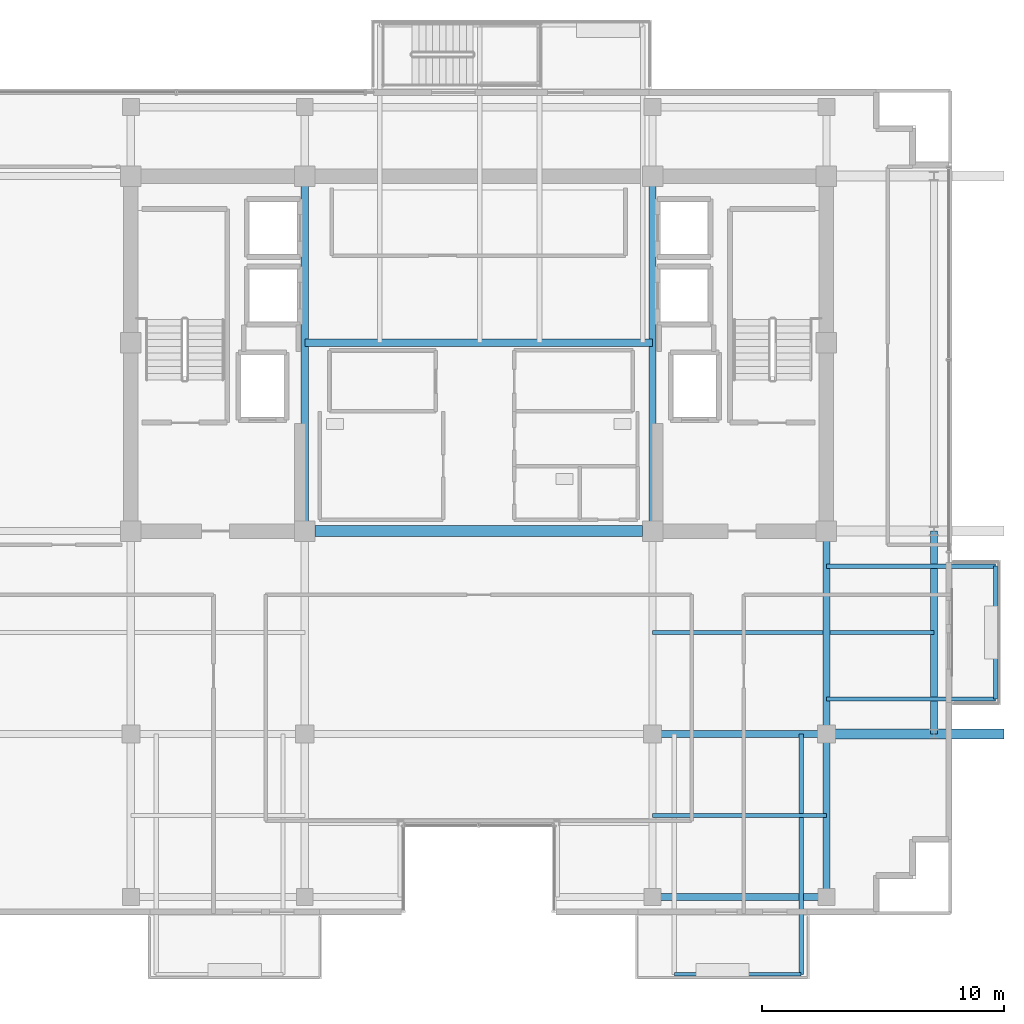
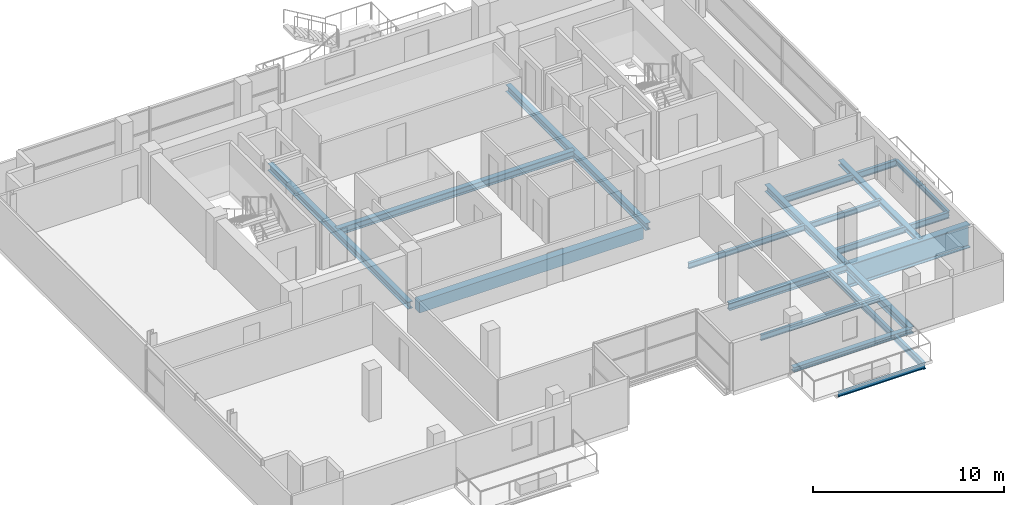
# One storey, part 10 of 24: 18 beams.
"""IFC4 building model written with IfcOpenShell, lengths in metres."""

from ifc_helpers import new_model, si_unit, direction, frame, origin, origin_2d, place, context, subcontext, project, spatial, rectangle, i_section, extrude, material, material_profile, profile_set, type_object, element, save


model = new_model("IFC4")

# Units and contexts
model_context = context("Model", 3, precision=1e-05, world=origin(), true_north=direction((0.0, 1.0)))
body_context = subcontext(model_context, "Body", "Model", "MODEL_VIEW")
ifc_project = project(units=[si_unit("LENGTHUNIT", "METRE"), si_unit("AREAUNIT", "SQUARE_METRE"), si_unit("VOLUMEUNIT", "CUBIC_METRE"), si_unit("PLANEANGLEUNIT", "RADIAN"), si_unit("MASSUNIT", "GRAM", prefix="KILO")], contexts=[model_context])

# Site, building, storey
site_placement = place(None, origin())
site = spatial("IfcSite", under=ifc_project, at=site_placement, CompositionType="ELEMENT")
building_placement = place(site_placement, origin())
building = spatial("IfcBuilding", under=site, at=building_placement, Name="Zarnakvel Exchange Tower", CompositionType="ELEMENT")
storey_placement = place(building_placement, frame((0.0, 0.0, 205.60009765625)))
storey = spatial("IfcBuildingStorey", under=building, at=storey_placement, Name="L57", CompositionType="ELEMENT", Elevation=205.60009765625)

# Beams
ifc_material_1 = material(Name="Steel S355", Category="steel")
ifc_material_profile_1 = material_profile(ifc_material_1, i_section(OverallWidth=0.179931640625, OverallDepth=0.39990234375, WebThickness=0.008544921875, FlangeThickness=0.013427734375, FilletRadius=0.02099609375, at=origin_2d()))
ifc_profile_set_1 = profile_set([ifc_material_profile_1], Name="Steel S355")
beam_type_1 = type_object("IfcBeamType", Name="B-06", PredefinedType="JOIST", material=ifc_profile_set_1)
beam_1_placement = place(storey_placement, frame((13.35009765625, -9.60009765625, -0.4501953125), z_axis=(0.0, -1.0, 0.0), x_axis=(1.0, 0.0, 0.0)))
element("IfcBeam", 1, at=beam_1_placement, inside=storey, type_object=beam_type_1, Name="L57 Continuous Back-Spanned Balcony Beam E", PredefinedType="JOIST", context=body_context, shape_type="SweptSolid", body=[
    extrude(i_section(OverallWidth=0.179931640625, OverallDepth=0.39990234375, WebThickness=0.008544921875, FlangeThickness=0.013427734375, FilletRadius=0.02099609375, at=origin_2d()), origin(), (0.0, 0.0, 1.0), 9.949951171875),
])
for number, where, z_axis, x_axis, name in (
    (2, (14.39990234375, -8.14990234375, -0.4501953125), (1.0, 0.0, 0.0), (0.0, 1.0, 0.0), "L57 Continuous East Loggia Beam S"),
    (3, (14.39990234375, -2.64990234375, -0.4501953125), (1.0, 0.0, 0.0), (0.0, 1.0, 0.0), "L57 Continuous East Loggia Beam N"),
):
    element("IfcBeam", number, at=place(storey_placement, frame(where, z_axis=z_axis, x_axis=x_axis)), inside=storey, type_object=beam_type_1, Name=name, PredefinedType="JOIST", context=body_context, shape_type="SweptSolid", body=[
        extrude(i_section(OverallWidth=0.179931640625, OverallDepth=0.39990234375, WebThickness=0.008544921875, FlangeThickness=0.013427734375, FilletRadius=0.02099609375, at=origin_2d()), origin(), (0.0, 0.0, 1.0), 7.0),
    ])
ifc_material_profile_2 = material_profile(ifc_material_1, i_section(OverallWidth=0.169921875, OverallDepth=0.360107421875, WebThickness=0.008056640625, FlangeThickness=0.0126953125, FilletRadius=0.01806640625, at=origin_2d()))
ifc_profile_set_2 = profile_set([ifc_material_profile_2], Name="Steel S355")
beam_type_2 = type_object("IfcBeamType", Name="B-07", PredefinedType="JOIST", material=ifc_profile_set_2)
beam_2_placement = place(storey_placement, frame((7.199951171875, -12.97509765625, -0.43017578125), z_axis=(1.0, 0.0, 0.0), x_axis=(0.0, 1.0, 0.0)))
element("IfcBeam", 4, at=beam_2_placement, inside=storey, type_object=beam_type_2, Name="L57 Composite Floor Secondary Joist", PredefinedType="JOIST", context=body_context, shape_type="SweptSolid", body=[
    extrude(i_section(OverallWidth=0.169921875, OverallDepth=0.360107421875, WebThickness=0.008056640625, FlangeThickness=0.0126953125, FilletRadius=0.01806640625, at=origin_2d()), origin(), (0.0, 0.0, 1.0), 7.199951171875),
])
beam_3_placement = place(storey_placement, frame((7.199951171875, -5.39990234375, -0.43017578125), z_axis=(1.0, 0.0, 0.0), x_axis=(0.0, 1.0, 0.0)))
element("IfcBeam", 5, at=beam_3_placement, inside=storey, type_object=beam_type_2, Name="L57 Composite Floor Secondary Joist", PredefinedType="JOIST", context=body_context, shape_type="SweptSolid", body=[
    extrude(i_section(OverallWidth=0.169921875, OverallDepth=0.360107421875, WebThickness=0.008056640625, FlangeThickness=0.0126953125, FilletRadius=0.01806640625, at=origin_2d()), origin(), (0.0, 0.0, 1.0), 7.050048828125),
])
beam_4_placement = place(storey_placement, frame((14.550048828125, -5.39990234375, -0.43017578125), z_axis=(1.0, 0.0, 0.0), x_axis=(0.0, 1.0, 0.0)))
element("IfcBeam", 6, at=beam_4_placement, inside=storey, type_object=beam_type_2, Name="L57 Composite Floor Secondary Joist", PredefinedType="JOIST", context=body_context, shape_type="SweptSolid", body=[
    extrude(i_section(OverallWidth=0.169921875, OverallDepth=0.360107421875, WebThickness=0.008056640625, FlangeThickness=0.0126953125, FilletRadius=0.01806640625, at=origin_2d()), origin(), (0.0, 0.0, 1.0), 4.300048828125),
])
ifc_material_profile_3 = material_profile(ifc_material_1, i_section(OverallWidth=0.14990234375, OverallDepth=0.300048828125, WebThickness=0.007080078125, FlangeThickness=0.0107421875, FilletRadius=0.014892578125, at=origin_2d()))
ifc_profile_set_3 = profile_set([ifc_material_profile_3], Name="Steel S355")
beam_type_3 = type_object("IfcBeamType", Name="B-08", PredefinedType="JOIST", material=ifc_profile_set_3)
beam_5_placement = place(storey_placement, frame((8.10009765625, -19.550048828125, -0.400146484375), z_axis=(1.0, 0.0, 0.0), x_axis=(0.0, 1.0, 0.0)))
element("IfcBeam", 7, at=beam_5_placement, inside=storey, type_object=beam_type_3, Name="L57 Balcony Edge Beam", PredefinedType="JOIST", context=body_context, shape_type="SweptSolid", body=[
    extrude(i_section(OverallWidth=0.14990234375, OverallDepth=0.300048828125, WebThickness=0.007080078125, FlangeThickness=0.0107421875, FilletRadius=0.014892578125, at=origin_2d()), origin(), (0.0, 0.0, 1.0), 5.25),
])
beam_6_placement = place(storey_placement, frame((21.39990234375, -8.14990234375, -0.400146484375), z_axis=(0.0, 1.0, 0.0), x_axis=(-1.0, 0.0, 0.0)))
element("IfcBeam", 8, at=beam_6_placement, inside=storey, type_object=beam_type_3, Name="L57 East Loggia Edge Beam", PredefinedType="JOIST", context=body_context, shape_type="SweptSolid", body=[
    extrude(i_section(OverallWidth=0.14990234375, OverallDepth=0.300048828125, WebThickness=0.007080078125, FlangeThickness=0.0107421875, FilletRadius=0.014892578125, at=origin_2d()), origin(), (0.0, 0.0, 1.0), 5.5),
])
ifc_material_2 = material(Name="Concrete C50/60", Category="concrete")
ifc_material_profile_4 = material_profile(ifc_material_2, rectangle(XDim=0.449951171875, YDim=0.75, at=origin_2d()))
ifc_profile_set_4 = profile_set([ifc_material_profile_4], Name="Concrete C50/60")
beam_type_4 = type_object("IfcBeamType", Name="CB-03", PredefinedType="LINTEL", material=ifc_profile_set_4)
beam_7_placement = place(storey_placement, frame((-6.77490234375, -1.199951171875, -0.625), z_axis=(1.0, 0.0, 0.0), x_axis=(0.0, 1.0, 0.0)))
element("IfcBeam", 9, at=beam_7_placement, inside=storey, type_object=beam_type_4, Name="L57 Rear Core South Coupling Beam (CB-03)", PredefinedType="LINTEL", context=body_context, shape_type="SweptSolid", body=[
    extrude(rectangle(XDim=0.449951171875, YDim=0.75, at=origin_2d()), origin(), (0.0, 0.0, 1.0), 13.5498046875),
])
ifc_material_profile_5 = material_profile(ifc_material_1, i_section(OverallWidth=0.300048828125, OverallDepth=0.449951171875, WebThickness=0.013916015625, FlangeThickness=0.02587890625, FilletRadius=0.027099609375, at=origin_2d()))
ifc_profile_set_5 = profile_set([ifc_material_profile_5], Name="Steel S355")
beam_type_5 = type_object("IfcBeamType", Name="G-07", PredefinedType="BEAM", material=ifc_profile_set_5)
beam_8_placement = place(storey_placement, frame((7.199951171875, -9.60009765625, -0.47509765625), z_axis=(1.0, 0.0, 0.0), x_axis=(0.0, 1.0, 0.0)))
element("IfcBeam", 10, at=beam_8_placement, inside=storey, type_object=beam_type_5, Name="L57 Tower E-W Frame Beam", PredefinedType="BEAM", context=body_context, shape_type="SweptSolid", body=[
    extrude(i_section(OverallWidth=0.300048828125, OverallDepth=0.449951171875, WebThickness=0.013916015625, FlangeThickness=0.02587890625, FilletRadius=0.027099609375, at=origin_2d()), origin(), (0.0, 0.0, 1.0), 7.199951171875),
])
for number, where, z_axis, x_axis, name in (
    (11, (-7.199951171875, -1.199951171875, -0.47509765625), (0.0, 1.0, 0.0), (-1.0, 0.0, 0.0), "L57 Tower N-S Frame Beam"),
    (12, (7.199951171875, -1.199951171875, -0.47509765625), (0.0, 1.0, 0.0), (-1.0, 0.0, 0.0), "L57 Tower N-S Frame Beam"),
):
    element("IfcBeam", number, at=place(storey_placement, frame(where, z_axis=z_axis, x_axis=x_axis)), inside=storey, type_object=beam_type_5, Name=name, PredefinedType="BEAM", context=body_context, shape_type="SweptSolid", body=[
        extrude(i_section(OverallWidth=0.300048828125, OverallDepth=0.449951171875, WebThickness=0.013916015625, FlangeThickness=0.02587890625, FilletRadius=0.027099609375, at=origin_2d()), origin(), (0.0, 0.0, 1.0), 14.699951171875),
    ])
beam_9_placement = place(storey_placement, frame((14.39990234375, -16.35009765625, -0.47509765625), z_axis=(0.0, 1.0, 0.0), x_axis=(-1.0, 0.0, 0.0)))
element("IfcBeam", 13, at=beam_9_placement, inside=storey, type_object=beam_type_5, Name="L57 Tower N-S Frame Beam", PredefinedType="BEAM", context=body_context, shape_type="SweptSolid", body=[
    extrude(i_section(OverallWidth=0.300048828125, OverallDepth=0.449951171875, WebThickness=0.013916015625, FlangeThickness=0.02587890625, FilletRadius=0.027099609375, at=origin_2d()), origin(), (0.0, 0.0, 1.0), 6.75),
])
beam_10_placement = place(storey_placement, frame((14.39990234375, -9.60009765625, -0.47509765625), z_axis=(0.0, 1.0, 0.0), x_axis=(-1.0, 0.0, 0.0)))
element("IfcBeam", 14, at=beam_10_placement, inside=storey, type_object=beam_type_5, Name="L57 Tower N-S Frame Beam", PredefinedType="BEAM", context=body_context, shape_type="SweptSolid", body=[
    extrude(i_section(OverallWidth=0.300048828125, OverallDepth=0.449951171875, WebThickness=0.013916015625, FlangeThickness=0.02587890625, FilletRadius=0.027099609375, at=origin_2d()), origin(), (0.0, 0.0, 1.0), 8.400146484375),
])
beam_11_placement = place(storey_placement, frame((-7.199951171875, 6.60009765625, -0.47509765625), z_axis=(1.0, 0.0, 0.0), x_axis=(0.0, 1.0, 0.0)))
element("IfcBeam", 15, at=beam_11_placement, inside=storey, type_object=beam_type_5, Name="L57 Core Central Lobby Mid Girder", PredefinedType="BEAM", context=body_context, shape_type="SweptSolid", body=[
    extrude(i_section(OverallWidth=0.300048828125, OverallDepth=0.449951171875, WebThickness=0.013916015625, FlangeThickness=0.02587890625, FilletRadius=0.027099609375, at=origin_2d()), origin(), (0.0, 0.0, 1.0), 14.39990234375),
])
ifc_material_profile_6 = material_profile(ifc_material_1, i_section(OverallWidth=0.300048828125, OverallDepth=0.300048828125, WebThickness=0.010986328125, FlangeThickness=0.01904296875, FilletRadius=0.027099609375, at=origin_2d()))
ifc_profile_set_6 = profile_set([ifc_material_profile_6], Name="Steel S355")
beam_type_6 = type_object("IfcBeamType", Name="SP-03", PredefinedType="SPANDREL", material=ifc_profile_set_6)
beam_12_placement = place(storey_placement, frame((7.199951171875, -16.35009765625, -0.400146484375), z_axis=(1.0, 0.0, 0.0), x_axis=(0.0, 1.0, 0.0)))
element("IfcBeam", 16, at=beam_12_placement, inside=storey, type_object=beam_type_6, Name="L57 Tower E-W Frame Beam", PredefinedType="SPANDREL", context=body_context, shape_type="SweptSolid", body=[
    extrude(i_section(OverallWidth=0.300048828125, OverallDepth=0.300048828125, WebThickness=0.010986328125, FlangeThickness=0.01904296875, FilletRadius=0.027099609375, at=origin_2d()), origin(), (0.0, 0.0, 1.0), 7.199951171875),
])
beam_13_placement = place(storey_placement, frame((18.85009765625, -9.60009765625, -0.400146484375), z_axis=(0.0, 1.0, 0.0), x_axis=(-1.0, 0.0, 0.0)))
element("IfcBeam", 17, at=beam_13_placement, inside=storey, type_object=beam_type_6, Name="L57 Tower N-S Frame Beam", PredefinedType="SPANDREL", context=body_context, shape_type="SweptSolid", body=[
    extrude(i_section(OverallWidth=0.300048828125, OverallDepth=0.300048828125, WebThickness=0.010986328125, FlangeThickness=0.01904296875, FilletRadius=0.027099609375, at=origin_2d()), origin(), (0.0, 0.0, 1.0), 8.400146484375),
])
ifc_material_3 = material(Name="Steel S460", Category="steel")
ifc_material_profile_7 = material_profile(ifc_material_3, i_section(OverallWidth=0.419921875, OverallDepth=1.449951171875, WebThickness=0.02392578125, FlangeThickness=0.0400390625, FilletRadius=0.030029296875, at=origin_2d()))
ifc_profile_set_7 = profile_set([ifc_material_profile_7], Name="Steel S460")
beam_type_7 = type_object("IfcBeamType", Name="TG-01", PredefinedType="BEAM", material=ifc_profile_set_7)
beam_14_placement = place(storey_placement, frame((14.39990234375, -9.60009765625, -0.97509765625), z_axis=(1.0, 0.0, 0.0), x_axis=(0.0, 1.0, 0.0)))
element("IfcBeam", 18, at=beam_14_placement, inside=storey, type_object=beam_type_7, Name="L57 Setback E-W Transfer Girder TE-C", PredefinedType="BEAM", context=body_context, shape_type="SweptSolid", body=[
    extrude(i_section(OverallWidth=0.419921875, OverallDepth=1.449951171875, WebThickness=0.02392578125, FlangeThickness=0.0400390625, FilletRadius=0.030029296875, at=origin_2d()), origin(), (0.0, 0.0, 1.0), 7.35009765625),
])

save(model, "model.ifc")
